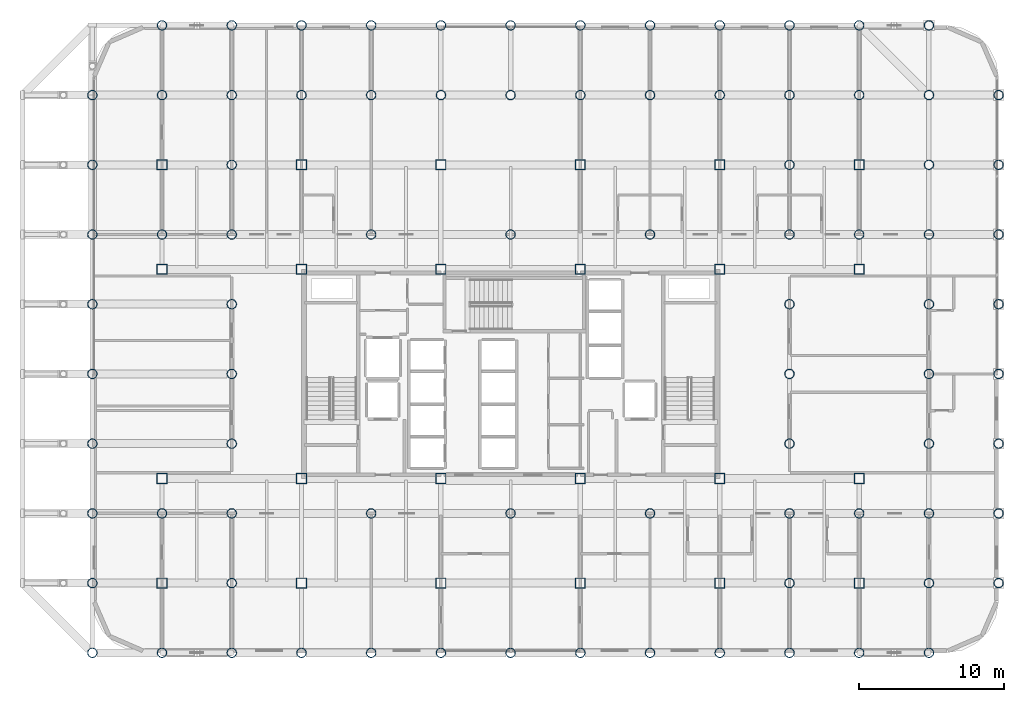
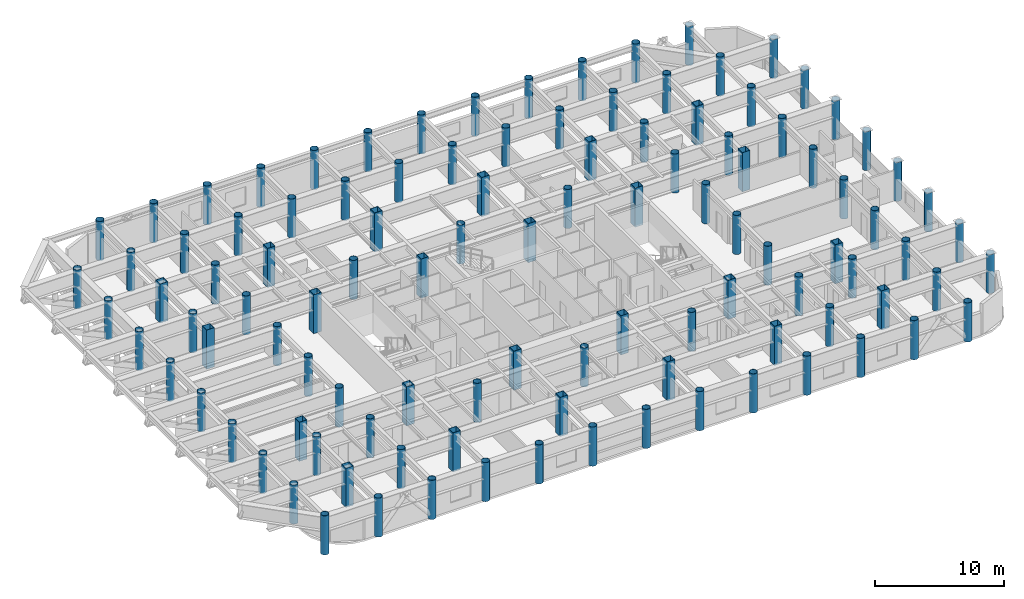
# One storey, part 1 of 23: 108 columns.
"""IFC4 building model written with IfcOpenShell, lengths in metres."""

from ifc_helpers import new_model, si_unit, direction, frame, origin, origin_2d, place, context, subcontext, project, spatial, hollow_rectangle, hollow_circle, extrude, material, material_profile, profile_set, type_object, element, save


model = new_model("IFC4")

# Units and contexts
model_context = context("Model", 3, precision=1e-05, world=origin(), true_north=direction((0.0, 1.0)))
body_context = subcontext(model_context, "Body", "Model", "MODEL_VIEW")
ifc_project = project(units=[si_unit("LENGTHUNIT", "METRE"), si_unit("AREAUNIT", "SQUARE_METRE"), si_unit("VOLUMEUNIT", "CUBIC_METRE"), si_unit("PLANEANGLEUNIT", "RADIAN"), si_unit("MASSUNIT", "GRAM", prefix="KILO")], contexts=[model_context])

# Site, building, storey
site_placement = place(None, origin())
site = spatial("IfcSite", under=ifc_project, at=site_placement, CompositionType="ELEMENT")
building_placement = place(site_placement, origin())
building = spatial("IfcBuilding", under=site, at=building_placement, Name="Kallvorn Hotel Tower", CompositionType="ELEMENT")
storey_placement = place(building_placement, frame((0.0, 0.0, 121.10009765625)))
storey = spatial("IfcBuildingStorey", under=building, at=storey_placement, Name="L29", CompositionType="ELEMENT", Elevation=121.10009765625)

# Columns
ifc_material_1 = material(Name="Structural steel S355J2H", Category="steel")
ifc_material_profile_1 = material_profile(ifc_material_1, hollow_circle(Radius=0.330078125, WallThickness=0.028076171875, at=origin_2d()), Name="CHS 660x28")
ifc_profile_set_1 = profile_set([ifc_material_profile_1], Name="Structural steel S355J2H")
column_type_1 = type_object("IfcColumnType", Name="COL_CHS_660", PredefinedType="COLUMN", material=ifc_profile_set_1)
for number, where, z_axis, x_axis, name in (
    (1, (-28.800048828125, -19.199951171875, 0.0), (0.0, 0.0, 1.0), (1.0, 0.0, 0.0), "L29 Exoskeleton Column EC01"),
    (2, (-28.800048828125, -14.39990234375, 0.0), (0.0, 0.0, 1.0), (1.0, 0.0, 0.0), "L29 Exoskeleton Column EC02"),
    (3, (-28.800048828125, -9.60009765625, 0.0), (0.0, 0.0, 1.0), (1.0, 0.0, 0.0), "L29 Exoskeleton Column EC03"),
    (4, (-28.800048828125, -4.800048828125, 0.0), (0.0, 0.0, 1.0), (1.0, 0.0, 0.0), "L29 Exoskeleton Column EC04"),
    (5, (-28.800048828125, 0.0, 0.0), (0.0, 0.0, 1.0), (1.0, 0.0, 0.0), "L29 Exoskeleton Column EC05"),
    (6, (-28.800048828125, 4.800048828125, 0.0), (0.0, 0.0, 1.0), (1.0, 0.0, 0.0), "L29 Exoskeleton Column EC06"),
    (7, (-28.800048828125, 9.60009765625, 0.0), (0.0, 0.0, 1.0), (1.0, 0.0, 0.0), "L29 Exoskeleton Column EC07"),
    (8, (-28.800048828125, 14.39990234375, 0.0), (0.0, 0.0, 1.0), (1.0, 0.0, 0.0), "L29 Exoskeleton Column EC08"),
    (9, (-28.800048828125, 19.199951171875, 0.0), (0.0, 0.0, 1.0), (1.0, 0.0, 0.0), "L29 Exoskeleton Column EC09"),
    (10, (-24.0, -19.199951171875, 0.0), (0.0, 0.0, 1.0), (1.0, 0.0, 0.0), "L29 Exoskeleton Column EC10"),
    (11, (-24.0, -9.60009765625, 0.0), (0.0, 0.0, 1.0), (1.0, 0.0, 0.0), "L29 Exoskeleton Column EC11"),
    (12, (-24.0, 9.60009765625, 0.0), (0.0, 0.0, 1.0), (1.0, 0.0, 0.0), "L29 Exoskeleton Column EC12"),
    (13, (-24.0, 19.199951171875, 0.0), (0.0, 0.0, 1.0), (1.0, 0.0, 0.0), "L29 Exoskeleton Column EC13"),
    (14, (-24.0, 24.0, 0.0), (0.0, 0.0, 1.0), (1.0, 0.0, 0.0), "L29 Exoskeleton Column EC14"),
    (15, (-19.199951171875, -19.199951171875, 0.0), (0.0, 0.0, 1.0), (1.0, 0.0, 0.0), "L29 Exoskeleton Column EC15"),
    (16, (-19.199951171875, -14.39990234375, 0.0), (0.0, 0.0, 1.0), (1.0, 0.0, 0.0), "L29 Exoskeleton Column EC16"),
    (17, (-19.199951171875, -9.60009765625, 0.0), (0.0, 0.0, 1.0), (1.0, 0.0, 0.0), "L29 Exoskeleton Column EC17"),
    (18, (-19.199951171875, -4.800048828125, 0.0), (0.0, 0.0, 1.0), (1.0, 0.0, 0.0), "L29 Exoskeleton Column EC18"),
    (19, (-19.199951171875, 0.0, 0.0), (0.0, 0.0, 1.0), (1.0, 0.0, 0.0), "L29 Exoskeleton Column EC19"),
    (20, (-19.199951171875, 4.800048828125, 0.0), (0.0, 0.0, 1.0), (1.0, 0.0, 0.0), "L29 Exoskeleton Column EC20"),
    (21, (-19.199951171875, 9.60009765625, 0.0), (0.0, 0.0, 1.0), (1.0, 0.0, 0.0), "L29 Exoskeleton Column EC21"),
    (22, (-19.199951171875, 14.39990234375, 0.0), (0.0, 0.0, 1.0), (1.0, 0.0, 0.0), "L29 Exoskeleton Column EC22"),
    (23, (-19.199951171875, 19.199951171875, 0.0), (0.0, 0.0, 1.0), (1.0, 0.0, 0.0), "L29 Exoskeleton Column EC23"),
    (24, (-19.199951171875, 24.0, 0.0), (0.0, 0.0, 1.0), (1.0, 0.0, 0.0), "L29 Exoskeleton Column EC24"),
    (25, (-14.39990234375, -19.199951171875, 0.0), (0.0, 0.0, 1.0), (1.0, 0.0, 0.0), "L29 Exoskeleton Column EC25"),
    (26, (-14.39990234375, 19.199951171875, 0.0), (0.0, 0.0, 1.0), (1.0, 0.0, 0.0), "L29 Exoskeleton Column EC26"),
    (27, (-14.39990234375, 24.0, 0.0), (0.0, 0.0, 1.0), (1.0, 0.0, 0.0), "L29 Exoskeleton Column EC27"),
    (28, (-9.60009765625, -19.199951171875, 0.0), (0.0, 0.0, 1.0), (1.0, 0.0, 0.0), "L29 Exoskeleton Column EC28"),
    (29, (-9.60009765625, -9.60009765625, 0.0), (0.0, 0.0, 1.0), (1.0, 0.0, 0.0), "L29 Exoskeleton Column EC29"),
    (30, (-9.60009765625, 9.60009765625, 0.0), (0.0, 0.0, 1.0), (1.0, 0.0, 0.0), "L29 Exoskeleton Column EC30"),
    (31, (-9.60009765625, 19.199951171875, 0.0), (0.0, 0.0, 1.0), (1.0, 0.0, 0.0), "L29 Exoskeleton Column EC31"),
    (32, (-9.60009765625, 24.0, 0.0), (0.0, 0.0, 1.0), (1.0, 0.0, 0.0), "L29 Exoskeleton Column EC32"),
    (33, (-4.800048828125, -19.199951171875, 0.0), (0.0, 0.0, 1.0), (1.0, 0.0, 0.0), "L29 Exoskeleton Column EC33"),
    (34, (-4.800048828125, 19.199951171875, 0.0), (0.0, 0.0, 1.0), (1.0, 0.0, 0.0), "L29 Exoskeleton Column EC34"),
    (35, (-4.800048828125, 24.0, 0.0), (0.0, 0.0, 1.0), (1.0, 0.0, 0.0), "L29 Exoskeleton Column EC35"),
    (36, (0.0, -19.199951171875, 0.0), (0.0, 0.0, 1.0), (1.0, 0.0, 0.0), "L29 Exoskeleton Column EC36"),
    (37, (0.0, -9.60009765625, 0.0), (0.0, 0.0, 1.0), (1.0, 0.0, 0.0), "L29 Exoskeleton Column EC37"),
    (38, (0.0, 9.60009765625, 0.0), (0.0, 0.0, 1.0), (1.0, 0.0, 0.0), "L29 Exoskeleton Column EC38"),
    (39, (0.0, 19.199951171875, 0.0), (0.0, 0.0, 1.0), (1.0, 0.0, 0.0), "L29 Exoskeleton Column EC39"),
    (40, (0.0, 24.0, 0.0), (0.0, 0.0, 1.0), (1.0, 0.0, 0.0), "L29 Exoskeleton Column EC40"),
    (41, (4.800048828125, -19.199951171875, 0.0), (0.0, 0.0, 1.0), (1.0, 0.0, 0.0), "L29 Exoskeleton Column EC41"),
    (42, (4.800048828125, 19.199951171875, 0.0), (0.0, 0.0, 1.0), (1.0, 0.0, 0.0), "L29 Exoskeleton Column EC42"),
    (43, (4.800048828125, 24.0, 0.0), (0.0, 0.0, 1.0), (1.0, 0.0, 0.0), "L29 Exoskeleton Column EC43"),
    (44, (9.60009765625, -19.199951171875, 0.0), (0.0, 0.0, 1.0), (1.0, 0.0, 0.0), "L29 Exoskeleton Column EC44"),
    (45, (9.60009765625, -9.60009765625, 0.0), (0.0, 0.0, 1.0), (1.0, 0.0, 0.0), "L29 Exoskeleton Column EC45"),
    (46, (9.60009765625, 9.60009765625, 0.0), (0.0, 0.0, 1.0), (1.0, 0.0, 0.0), "L29 Exoskeleton Column EC46"),
    (47, (9.60009765625, 19.199951171875, 0.0), (0.0, 0.0, 1.0), (1.0, 0.0, 0.0), "L29 Exoskeleton Column EC47"),
    (48, (9.60009765625, 24.0, 0.0), (0.0, 0.0, 1.0), (1.0, 0.0, 0.0), "L29 Exoskeleton Column EC48"),
    (49, (14.39990234375, -19.199951171875, 0.0), (0.0, 0.0, 1.0), (1.0, 0.0, 0.0), "L29 Exoskeleton Column EC49"),
    (50, (14.39990234375, 19.199951171875, 0.0), (0.0, 0.0, 1.0), (1.0, 0.0, 0.0), "L29 Exoskeleton Column EC50"),
    (51, (14.39990234375, 24.0, 0.0), (0.0, 0.0, 1.0), (1.0, 0.0, 0.0), "L29 Exoskeleton Column EC51"),
    (52, (19.199951171875, -19.199951171875, 0.0), (0.0, 0.0, 1.0), (1.0, 0.0, 0.0), "L29 Exoskeleton Column EC52"),
    (53, (19.199951171875, -14.39990234375, 0.0), (0.0, 0.0, 1.0), (1.0, 0.0, 0.0), "L29 Exoskeleton Column EC53"),
    (54, (19.199951171875, -9.60009765625, 0.0), (0.0, 0.0, 1.0), (1.0, 0.0, 0.0), "L29 Exoskeleton Column EC54"),
    (55, (19.199951171875, -4.800048828125, 0.0), (0.0, 0.0, 1.0), (1.0, 0.0, 0.0), "L29 Exoskeleton Column EC55"),
    (56, (19.199951171875, 0.0, 0.0), (0.0, 0.0, 1.0), (1.0, 0.0, 0.0), "L29 Exoskeleton Column EC56"),
    (57, (19.199951171875, 4.800048828125, 0.0), (0.0, 0.0, 1.0), (1.0, 0.0, 0.0), "L29 Exoskeleton Column EC57"),
    (58, (19.199951171875, 9.60009765625, 0.0), (0.0, 0.0, 1.0), (1.0, 0.0, 0.0), "L29 Exoskeleton Column EC58"),
    (59, (19.199951171875, 14.39990234375, 0.0), (0.0, 0.0, 1.0), (1.0, 0.0, 0.0), "L29 Exoskeleton Column EC59"),
    (60, (19.199951171875, 19.199951171875, 0.0), (0.0, 0.0, 1.0), (1.0, 0.0, 0.0), "L29 Exoskeleton Column EC60"),
    (61, (19.199951171875, 24.0, 0.0), (0.0, 0.0, 1.0), (1.0, 0.0, 0.0), "L29 Exoskeleton Column EC61"),
    (62, (24.0, -19.199951171875, 0.0), (0.0, 0.0, 1.0), (1.0, 0.0, 0.0), "L29 Exoskeleton Column EC62"),
    (63, (24.0, -9.60009765625, 0.0), (0.0, 0.0, 1.0), (1.0, 0.0, 0.0), "L29 Exoskeleton Column EC63"),
    (64, (24.0, 9.60009765625, 0.0), (0.0, 0.0, 1.0), (1.0, 0.0, 0.0), "L29 Exoskeleton Column EC64"),
    (65, (24.0, 19.199951171875, 0.0), (0.0, 0.0, 1.0), (1.0, 0.0, 0.0), "L29 Exoskeleton Column EC65"),
    (66, (24.0, 24.0, 0.0), (0.0, 0.0, 1.0), (1.0, 0.0, 0.0), "L29 Exoskeleton Column EC66"),
    (67, (28.800048828125, -19.199951171875, 0.0), (0.0, 0.0, 1.0), (1.0, 0.0, 0.0), "L29 Exoskeleton Column EC67"),
    (68, (28.800048828125, -14.39990234375, 0.0), (0.0, 0.0, 1.0), (1.0, 0.0, 0.0), "L29 Exoskeleton Column EC68"),
    (69, (28.800048828125, -9.60009765625, 0.0), (0.0, 0.0, 1.0), (1.0, 0.0, 0.0), "L29 Exoskeleton Column EC69"),
    (70, (28.800048828125, -4.800048828125, 0.0), (0.0, 0.0, 1.0), (1.0, 0.0, 0.0), "L29 Exoskeleton Column EC70"),
    (71, (28.800048828125, 0.0, 0.0), (0.0, 0.0, 1.0), (1.0, 0.0, 0.0), "L29 Exoskeleton Column EC71"),
    (72, (28.800048828125, 4.800048828125, 0.0), (0.0, 0.0, 1.0), (1.0, 0.0, 0.0), "L29 Exoskeleton Column EC72"),
    (73, (28.800048828125, 9.60009765625, 0.0), (0.0, 0.0, 1.0), (1.0, 0.0, 0.0), "L29 Exoskeleton Column EC73"),
    (74, (28.800048828125, 14.39990234375, 0.0), (0.0, 0.0, 1.0), (1.0, 0.0, 0.0), "L29 Exoskeleton Column EC74"),
    (75, (28.800048828125, 19.199951171875, 0.0), (0.0, 0.0, 1.0), (1.0, 0.0, 0.0), "L29 Exoskeleton Column EC75"),
    (76, (28.800048828125, 24.0, 0.0), (0.0, 0.0, 1.0), (1.0, 0.0, 0.0), "L29 Exoskeleton Column EC76"),
    (77, (33.60009765625, -14.39990234375, 0.0), (0.0, 0.0, 1.0), (1.0, 0.0, 0.0), "L29 Exoskeleton Column EC77"),
    (78, (33.60009765625, -9.60009765625, 0.0), (0.0, 0.0, 1.0), (1.0, 0.0, 0.0), "L29 Exoskeleton Column EC78"),
    (79, (33.60009765625, -4.800048828125, 0.0), (0.0, 0.0, 1.0), (1.0, 0.0, 0.0), "L29 Exoskeleton Column EC79"),
    (80, (33.60009765625, 0.0, 0.0), (0.0, 0.0, 1.0), (1.0, 0.0, 0.0), "L29 Exoskeleton Column EC80"),
    (81, (33.60009765625, 4.800048828125, 0.0), (0.0, 0.0, 1.0), (1.0, 0.0, 0.0), "L29 Exoskeleton Column EC81"),
    (82, (33.60009765625, 9.60009765625, 0.0), (0.0, 0.0, 1.0), (1.0, 0.0, 0.0), "L29 Exoskeleton Column EC82"),
    (83, (33.60009765625, 14.39990234375, 0.0), (0.0, 0.0, 1.0), (1.0, 0.0, 0.0), "L29 Exoskeleton Column EC83"),
    (84, (33.60009765625, 19.199951171875, 0.0), (0.0, 0.0, 1.0), (1.0, 0.0, 0.0), "L29 Exoskeleton Column EC84"),
):
    element("IfcColumn", number, at=place(storey_placement, frame(where, z_axis=z_axis, x_axis=x_axis)), inside=storey, type_object=column_type_1, Name=name, PredefinedType="COLUMN", context=body_context, shape_type="SweptSolid", body=[
        extrude(hollow_circle(Radius=0.330078125, WallThickness=0.028076171875, at=origin_2d()), origin(), (0.0, 0.0, 1.0), 3.699951171875),
    ])
ifc_material_2 = material(Name="Structural steel S355J2H", Category="steel")
ifc_material_profile_2 = material_profile(ifc_material_2, hollow_rectangle(XDim=0.699951171875, YDim=0.699951171875, WallThickness=0.031982421875, at=origin_2d()), Name="RHS 700x700x32")
ifc_profile_set_2 = profile_set([ifc_material_profile_2], Name="Structural steel S355J2H")
column_type_2 = type_object("IfcColumnType", Name="COL_RHS_700", PredefinedType="COLUMN", material=ifc_profile_set_2)
for number, where, z_axis, x_axis, name in (
    (85, (-24.0, -14.39990234375, 0.0), (0.0, 0.0, 1.0), (1.0, 0.0, 0.0), "L29 Inner Column IC01"),
    (86, (-24.0, -7.199951171875, 0.0), (0.0, 0.0, 1.0), (1.0, 0.0, 0.0), "L29 Inner Column IC02"),
    (87, (-24.0, 7.199951171875, 0.0), (0.0, 0.0, 1.0), (1.0, 0.0, 0.0), "L29 Inner Column IC03"),
    (88, (-24.0, 14.39990234375, 0.0), (0.0, 0.0, 1.0), (1.0, 0.0, 0.0), "L29 Inner Column IC04"),
    (89, (-14.39990234375, -14.39990234375, 0.0), (0.0, 0.0, 1.0), (1.0, 0.0, 0.0), "L29 Inner Column IC05"),
    (90, (-14.39990234375, -7.199951171875, 0.0), (0.0, 0.0, 1.0), (1.0, 0.0, 0.0), "L29 Inner Column IC06"),
    (91, (-14.39990234375, 7.199951171875, 0.0), (0.0, 0.0, 1.0), (1.0, 0.0, 0.0), "L29 Inner Column IC07"),
    (92, (-14.39990234375, 14.39990234375, 0.0), (0.0, 0.0, 1.0), (1.0, 0.0, 0.0), "L29 Inner Column IC08"),
    (93, (-4.800048828125, -14.39990234375, 0.0), (0.0, 0.0, 1.0), (1.0, 0.0, 0.0), "L29 Inner Column IC09"),
    (94, (-4.800048828125, -7.199951171875, 0.0), (0.0, 0.0, 1.0), (1.0, 0.0, 0.0), "L29 Inner Column IC10"),
    (95, (-4.800048828125, 7.199951171875, 0.0), (0.0, 0.0, 1.0), (1.0, 0.0, 0.0), "L29 Inner Column IC11"),
    (96, (-4.800048828125, 14.39990234375, 0.0), (0.0, 0.0, 1.0), (1.0, 0.0, 0.0), "L29 Inner Column IC12"),
    (97, (4.800048828125, -14.39990234375, 0.0), (0.0, 0.0, 1.0), (1.0, 0.0, 0.0), "L29 Inner Column IC13"),
    (98, (4.800048828125, -7.199951171875, 0.0), (0.0, 0.0, 1.0), (1.0, 0.0, 0.0), "L29 Inner Column IC14"),
    (99, (4.800048828125, 7.199951171875, 0.0), (0.0, 0.0, 1.0), (1.0, 0.0, 0.0), "L29 Inner Column IC15"),
    (100, (4.800048828125, 14.39990234375, 0.0), (0.0, 0.0, 1.0), (1.0, 0.0, 0.0), "L29 Inner Column IC16"),
    (101, (14.39990234375, -14.39990234375, 0.0), (0.0, 0.0, 1.0), (1.0, 0.0, 0.0), "L29 Inner Column IC17"),
    (102, (14.39990234375, -7.199951171875, 0.0), (0.0, 0.0, 1.0), (1.0, 0.0, 0.0), "L29 Inner Column IC18"),
    (103, (14.39990234375, 7.199951171875, 0.0), (0.0, 0.0, 1.0), (1.0, 0.0, 0.0), "L29 Inner Column IC19"),
    (104, (14.39990234375, 14.39990234375, 0.0), (0.0, 0.0, 1.0), (1.0, 0.0, 0.0), "L29 Inner Column IC20"),
    (105, (24.0, -14.39990234375, 0.0), (0.0, 0.0, 1.0), (1.0, 0.0, 0.0), "L29 Inner Column IC21"),
    (106, (24.0, -7.199951171875, 0.0), (0.0, 0.0, 1.0), (1.0, 0.0, 0.0), "L29 Inner Column IC22"),
    (107, (24.0, 7.199951171875, 0.0), (0.0, 0.0, 1.0), (1.0, 0.0, 0.0), "L29 Inner Column IC23"),
    (108, (24.0, 14.39990234375, 0.0), (0.0, 0.0, 1.0), (1.0, 0.0, 0.0), "L29 Inner Column IC24"),
):
    element("IfcColumn", number, at=place(storey_placement, frame(where, z_axis=z_axis, x_axis=x_axis)), inside=storey, type_object=column_type_2, Name=name, PredefinedType="COLUMN", context=body_context, shape_type="SweptSolid", body=[
        extrude(hollow_rectangle(XDim=0.699951171875, YDim=0.699951171875, WallThickness=0.031982421875, at=origin_2d()), origin(), (0.0, 0.0, 1.0), 3.699951171875),
    ])

save(model, "model.ifc")
